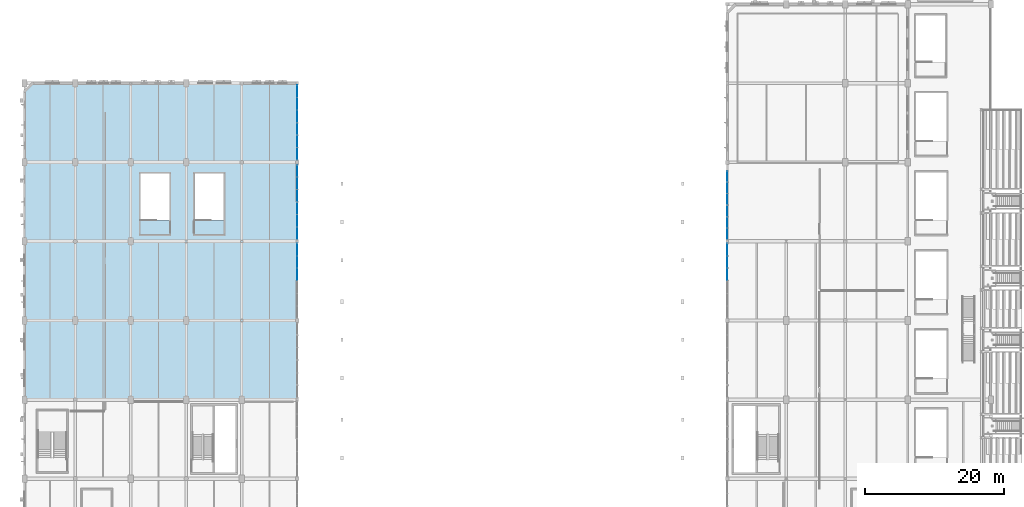
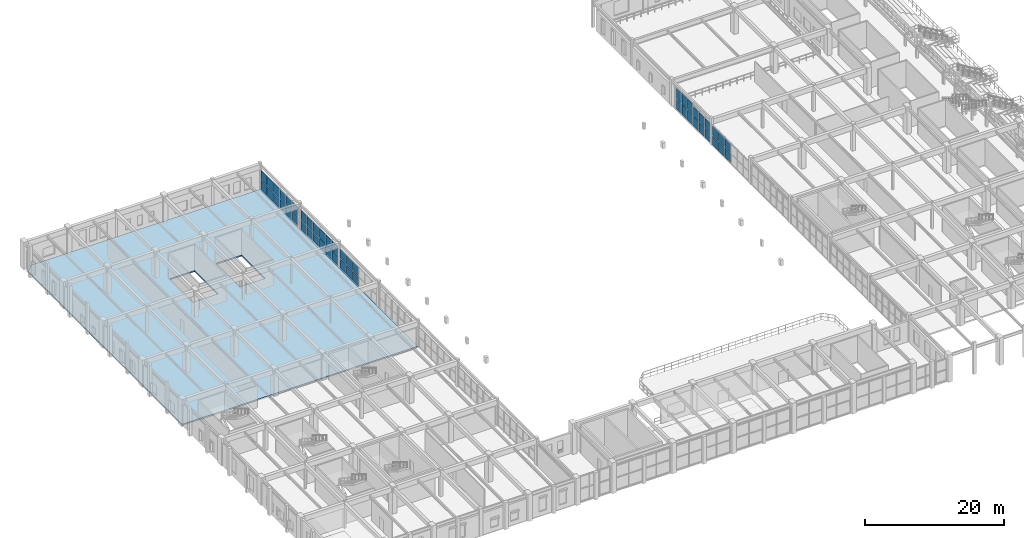
# One storey, part 72 of 106: 48 plates, 1 slab, 8 elements without a shape of their own.
"""IFC4 building model written with IfcOpenShell, lengths in metres."""

from ifc_helpers import new_model, si_unit, direction, frame, origin, origin_2d, place, context, subcontext, project, spatial, polyline, rectangle, outline, extrude, material, layer, layer_set, type_object, element, aggregate, save


model = new_model("IFC4")

# Units and contexts
model_context = context("Model", 3, precision=1e-05, world=origin(), true_north=direction((0.0, 1.0)))
body_context = subcontext(model_context, "Body", "Model", "MODEL_VIEW")
ifc_project = project(units=[si_unit("LENGTHUNIT", "METRE"), si_unit("AREAUNIT", "SQUARE_METRE"), si_unit("VOLUMEUNIT", "CUBIC_METRE"), si_unit("PLANEANGLEUNIT", "RADIAN"), si_unit("MASSUNIT", "GRAM", prefix="KILO"), si_unit("POWERUNIT", "WATT"), si_unit("THERMODYNAMICTEMPERATUREUNIT", "KELVIN")], contexts=[model_context])

# Site, building, storey
site_placement = place(None, origin())
site = spatial("IfcSite", under=ifc_project, at=site_placement, CompositionType="ELEMENT")
building_placement = place(site_placement, origin())
building = spatial("IfcBuilding", under=site, at=building_placement, Name="Kelmbourne Parkland Aquatics Centre", CompositionType="ELEMENT")
storey_placement = place(building_placement, frame((0.0, 0.0, 5.39990234375)))
storey = spatial("IfcBuildingStorey", under=building, at=storey_placement, Name="L01", CompositionType="ELEMENT", Elevation=5.39990234375)

# Curtain wall, plates
ifc_material_1 = material(Name="Thermally broken anodised aluminium framing", Category="aluminium")
ifc_layer_1 = layer(ifc_material_1, 0.179931640625)
ifc_layer_set_1 = layer_set([ifc_layer_1], Name="Thermally broken anodised aluminium framing")
curtain_wall_type_1 = type_object("IfcCurtainWallType", Name="CW-05", PredefinedType="NOTDEFINED", material=ifc_layer_set_1)
curtain_wall_1_placement = place(storey_placement, origin())
curtain_wall_1 = element("IfcCurtainWall", 1, at=curtain_wall_1_placement, inside=storey, type_object=curtain_wall_type_1, Name="Facade curtain wall CW-L01-197", PredefinedType="NOTDEFINED")
ifc_material_2 = material(Name="Double-glazed low-e laminated safety glass", Category="glass")
ifc_layer_2 = layer(ifc_material_2, 0.02392578125)
ifc_layer_set_2 = layer_set([ifc_layer_2], Name="Double-glazed low-e laminated safety glass")
plate_type_1 = type_object("IfcPlateType", Name="PL-CWP-1", PredefinedType="CURTAIN_PANEL", material=ifc_layer_set_2)
plate_1_placement = place(storey_placement, frame((102.0, 64.45703125, 1.90673828125), z_axis=(0.0, 0.0, 1.0), x_axis=(0.0, 1.0, 0.0)))
plate_1 = element("IfcPlate", 2, at=plate_1_placement, type_object=plate_type_1, Name="CW-L01-197 vision glazing 1-0", PredefinedType="CURTAIN_PANEL", context=body_context, shape_type="SweptSolid", body=[
    extrude(rectangle(XDim=1.706298828125, YDim=0.02392578125, at=origin_2d()), origin(), (0.0, 0.0, 1.0), 1.5615234375),
])
plate_2_placement = place(storey_placement, frame((102.0, 66.236572265625, 1.90673828125), z_axis=(0.0, 0.0, 1.0), x_axis=(0.0, 1.0, 0.0)))
plate_2 = element("IfcPlate", 3, at=plate_2_placement, type_object=plate_type_1, Name="CW-L01-197 vision glazing 1-1", PredefinedType="CURTAIN_PANEL", context=body_context, shape_type="SweptSolid", body=[
    extrude(rectangle(XDim=1.706298828125, YDim=0.02392578125, at=origin_2d()), origin(), (0.0, 0.0, 1.0), 1.5615234375),
])
plate_3_placement = place(storey_placement, frame((102.0, 68.015869140625, 1.90673828125), z_axis=(0.0, 0.0, 1.0), x_axis=(0.0, 1.0, 0.0)))
plate_3 = element("IfcPlate", 4, at=plate_3_placement, type_object=plate_type_1, Name="CW-L01-197 vision glazing 1-2", PredefinedType="CURTAIN_PANEL", context=body_context, shape_type="SweptSolid", body=[
    extrude(rectangle(XDim=1.706298828125, YDim=0.02392578125, at=origin_2d()), origin(), (0.0, 0.0, 1.0), 1.5615234375),
])

ifc_layer_3 = layer(ifc_material_1, 0.179931640625)
ifc_layer_set_3 = layer_set([ifc_layer_3], Name="Thermally broken anodised aluminium framing")
curtain_wall_type_2 = type_object("IfcCurtainWallType", Name="CW-06", PredefinedType="NOTDEFINED", material=ifc_layer_set_3)
curtain_wall_2_placement = place(storey_placement, origin())
curtain_wall_2 = element("IfcCurtainWall", 5, at=curtain_wall_2_placement, inside=storey, type_object=curtain_wall_type_2, Name="Facade curtain wall CW-L01-198", PredefinedType="NOTDEFINED")
plate_4_placement = place(storey_placement, frame((102.0, 70.312744140625, 0.1171875), z_axis=(0.0, 0.0, 1.0), x_axis=(0.0, 1.0, 0.0)))
plate_4 = element("IfcPlate", 6, at=plate_4_placement, type_object=plate_type_1, Name="CW-L01-198 vision glazing 0-0", PredefinedType="CURTAIN_PANEL", context=body_context, shape_type="SweptSolid", body=[
    extrude(rectangle(XDim=1.543212890625, YDim=0.02392578125, at=origin_2d()), origin(), (0.0, 0.0, 1.0), 1.651611328125),
])
plate_5_placement = place(storey_placement, frame((102.0, 71.93896484375, 0.1171875), z_axis=(0.0, 0.0, 1.0), x_axis=(0.0, 1.0, 0.0)))
plate_5 = element("IfcPlate", 7, at=plate_5_placement, type_object=plate_type_1, Name="CW-L01-198 vision glazing 0-1", PredefinedType="CURTAIN_PANEL", context=body_context, shape_type="SweptSolid", body=[
    extrude(rectangle(XDim=1.54345703125, YDim=0.02392578125, at=origin_2d()), origin(), (0.0, 0.0, 1.0), 1.651611328125),
])
plate_6_placement = place(storey_placement, frame((102.0, 73.565185546875, 0.1171875), z_axis=(0.0, 0.0, 1.0), x_axis=(0.0, 1.0, 0.0)))
plate_6 = element("IfcPlate", 8, at=plate_6_placement, type_object=plate_type_1, Name="CW-L01-198 vision glazing 0-2", PredefinedType="CURTAIN_PANEL", context=body_context, shape_type="SweptSolid", body=[
    extrude(rectangle(XDim=1.543212890625, YDim=0.02392578125, at=origin_2d()), origin(), (0.0, 0.0, 1.0), 1.651611328125),
])

ifc_layer_4 = layer(ifc_material_1, 0.179931640625)
ifc_layer_set_4 = layer_set([ifc_layer_4], Name="Thermally broken anodised aluminium framing")
curtain_wall_type_3 = type_object("IfcCurtainWallType", Name="CW-20", PredefinedType="NOTDEFINED", material=ifc_layer_set_4)
curtain_wall_3_placement = place(storey_placement, origin())
curtain_wall_3 = element("IfcCurtainWall", 9, at=curtain_wall_3_placement, inside=storey, type_object=curtain_wall_type_3, Name="Facade curtain wall CW-L01-236", PredefinedType="NOTDEFINED")
plate_7_placement = place(storey_placement, frame((40.0, 64.453857421875, 1.90673828125), z_axis=(0.0, 0.0, 1.0), x_axis=(0.0, 1.0, 0.0)))
plate_7 = element("IfcPlate", 10, at=plate_7_placement, type_object=plate_type_1, Name="CW-L01-236 vision glazing 1-0", PredefinedType="CURTAIN_PANEL", context=body_context, shape_type="SweptSolid", body=[
    extrude(rectangle(XDim=1.7197265625, YDim=0.02392578125, at=origin_2d()), origin(), (0.0, 0.0, 1.0), 1.5615234375),
])
plate_8_placement = place(storey_placement, frame((40.0, 66.236572265625, 1.90673828125), z_axis=(0.0, 0.0, 1.0), x_axis=(0.0, 1.0, 0.0)))
plate_8 = element("IfcPlate", 11, at=plate_8_placement, type_object=plate_type_1, Name="CW-L01-236 vision glazing 1-1", PredefinedType="CURTAIN_PANEL", context=body_context, shape_type="SweptSolid", body=[
    extrude(rectangle(XDim=1.719482421875, YDim=0.02392578125, at=origin_2d()), origin(), (0.0, 0.0, 1.0), 1.5615234375),
])
plate_9_placement = place(storey_placement, frame((40.0, 68.01904296875, 1.90673828125), z_axis=(0.0, 0.0, 1.0), x_axis=(0.0, 1.0, 0.0)))
plate_9 = element("IfcPlate", 12, at=plate_9_placement, type_object=plate_type_1, Name="CW-L01-236 vision glazing 1-2", PredefinedType="CURTAIN_PANEL", context=body_context, shape_type="SweptSolid", body=[
    extrude(rectangle(XDim=1.7197265625, YDim=0.02392578125, at=origin_2d()), origin(), (0.0, 0.0, 1.0), 1.5615234375),
])

ifc_layer_5 = layer(ifc_material_1, 0.179931640625)
ifc_layer_set_5 = layer_set([ifc_layer_5], Name="Thermally broken anodised aluminium framing")
curtain_wall_type_4 = type_object("IfcCurtainWallType", Name="CW-21", PredefinedType="NOTDEFINED", material=ifc_layer_set_5)
curtain_wall_4_placement = place(storey_placement, origin())
curtain_wall_4 = element("IfcCurtainWall", 13, at=curtain_wall_4_placement, inside=storey, type_object=curtain_wall_type_4, Name="Facade curtain wall CW-L01-237", PredefinedType="NOTDEFINED")
plate_10_placement = place(storey_placement, frame((40.0, 70.38427734375, 0.1171875), z_axis=(0.0, 0.0, 1.0), x_axis=(0.0, 1.0, 0.0)))
plate_10 = element("IfcPlate", 14, at=plate_10_placement, type_object=plate_type_1, Name="CW-L01-237 vision glazing 0-0", PredefinedType="CURTAIN_PANEL", context=body_context, shape_type="SweptSolid", body=[
    extrude(rectangle(XDim=1.706298828125, YDim=0.02392578125, at=origin_2d()), origin(), (0.0, 0.0, 1.0), 1.651611328125),
])
plate_11_placement = place(storey_placement, frame((40.0, 72.16357421875, 0.1171875), z_axis=(0.0, 0.0, 1.0), x_axis=(0.0, 1.0, 0.0)))
plate_11 = element("IfcPlate", 15, at=plate_11_placement, type_object=plate_type_1, Name="CW-L01-237 vision glazing 0-1", PredefinedType="CURTAIN_PANEL", context=body_context, shape_type="SweptSolid", body=[
    extrude(rectangle(XDim=1.706298828125, YDim=0.02392578125, at=origin_2d()), origin(), (0.0, 0.0, 1.0), 1.651611328125),
])
plate_12_placement = place(storey_placement, frame((40.0, 73.94287109375, 0.1171875), z_axis=(0.0, 0.0, 1.0), x_axis=(0.0, 1.0, 0.0)))
plate_12 = element("IfcPlate", 16, at=plate_12_placement, type_object=plate_type_1, Name="CW-L01-237 vision glazing 0-2", PredefinedType="CURTAIN_PANEL", context=body_context, shape_type="SweptSolid", body=[
    extrude(rectangle(XDim=1.706298828125, YDim=0.02392578125, at=origin_2d()), origin(), (0.0, 0.0, 1.0), 1.651611328125),
])

ifc_layer_6 = layer(ifc_material_1, 0.179931640625)
ifc_layer_set_6 = layer_set([ifc_layer_6], Name="Thermally broken anodised aluminium framing")
curtain_wall_type_5 = type_object("IfcCurtainWallType", Name="CW-23", PredefinedType="NOTDEFINED", material=ifc_layer_set_6)
curtain_wall_5_placement = place(storey_placement, origin())
curtain_wall_5 = element("IfcCurtainWall", 17, at=curtain_wall_5_placement, inside=storey, type_object=curtain_wall_type_5, Name="Facade curtain wall CW-L01-239", PredefinedType="NOTDEFINED")
plate_13_placement = place(storey_placement, frame((40.0, 81.8408203125, 1.90673828125), z_axis=(0.0, 0.0, 1.0), x_axis=(0.0, 1.0, 0.0)))
plate_13 = element("IfcPlate", 18, at=plate_13_placement, type_object=plate_type_1, Name="CW-L01-239 vision glazing 1-0", PredefinedType="CURTAIN_PANEL", context=body_context, shape_type="SweptSolid", body=[
    extrude(rectangle(XDim=1.6796875, YDim=0.02392578125, at=origin_2d()), origin(), (0.0, 0.0, 1.0), 1.5615234375),
])
plate_14_placement = place(storey_placement, frame((40.0, 83.613525390625, 1.90673828125), z_axis=(0.0, 0.0, 1.0), x_axis=(0.0, 1.0, 0.0)))
plate_14 = element("IfcPlate", 19, at=plate_14_placement, type_object=plate_type_1, Name="CW-L01-239 vision glazing 1-1", PredefinedType="CURTAIN_PANEL", context=body_context, shape_type="SweptSolid", body=[
    extrude(rectangle(XDim=1.6796875, YDim=0.02392578125, at=origin_2d()), origin(), (0.0, 0.0, 1.0), 1.5615234375),
])
plate_15_placement = place(storey_placement, frame((40.0, 85.38623046875, 1.90673828125), z_axis=(0.0, 0.0, 1.0), x_axis=(0.0, 1.0, 0.0)))
plate_15 = element("IfcPlate", 20, at=plate_15_placement, type_object=plate_type_1, Name="CW-L01-239 vision glazing 1-2", PredefinedType="CURTAIN_PANEL", context=body_context, shape_type="SweptSolid", body=[
    extrude(rectangle(XDim=1.6796875, YDim=0.02392578125, at=origin_2d()), origin(), (0.0, 0.0, 1.0), 1.5615234375),
])

ifc_layer_7 = layer(ifc_material_1, 0.179931640625)
ifc_layer_set_7 = layer_set([ifc_layer_7], Name="Thermally broken anodised aluminium framing")
curtain_wall_type_6 = type_object("IfcCurtainWallType", Name="CW-24", PredefinedType="NOTDEFINED", material=ifc_layer_set_7)
curtain_wall_6_placement = place(storey_placement, origin())
curtain_wall_6 = element("IfcCurtainWall", 21, at=curtain_wall_6_placement, inside=storey, type_object=curtain_wall_type_6, Name="Facade curtain wall CW-L01-240", PredefinedType="NOTDEFINED")
plate_16_placement = place(storey_placement, frame((40.0, 87.25048828125, 0.1171875), z_axis=(0.0, 0.0, 1.0), x_axis=(0.0, 1.0, 0.0)))
plate_16 = element("IfcPlate", 22, at=plate_16_placement, type_object=plate_type_1, Name="CW-L01-240 vision glazing 0-0", PredefinedType="CURTAIN_PANEL", context=body_context, shape_type="SweptSolid", body=[
    extrude(rectangle(XDim=1.73291015625, YDim=0.02392578125, at=origin_2d()), origin(), (0.0, 0.0, 1.0), 1.651611328125),
])
plate_17_placement = place(storey_placement, frame((40.0, 89.03662109375, 0.1171875), z_axis=(0.0, 0.0, 1.0), x_axis=(0.0, 1.0, 0.0)))
plate_17 = element("IfcPlate", 23, at=plate_17_placement, type_object=plate_type_1, Name="CW-L01-240 vision glazing 0-1", PredefinedType="CURTAIN_PANEL", context=body_context, shape_type="SweptSolid", body=[
    extrude(rectangle(XDim=1.73291015625, YDim=0.02392578125, at=origin_2d()), origin(), (0.0, 0.0, 1.0), 1.651611328125),
])
plate_18_placement = place(storey_placement, frame((40.0, 90.822509765625, 0.1171875), z_axis=(0.0, 0.0, 1.0), x_axis=(0.0, 1.0, 0.0)))
plate_18 = element("IfcPlate", 24, at=plate_18_placement, type_object=plate_type_1, Name="CW-L01-240 vision glazing 0-2", PredefinedType="CURTAIN_PANEL", context=body_context, shape_type="SweptSolid", body=[
    extrude(rectangle(XDim=1.73291015625, YDim=0.02392578125, at=origin_2d()), origin(), (0.0, 0.0, 1.0), 1.651611328125),
])

# Plate
ifc_layer_8 = layer(ifc_material_2, 0.035888671875)
ifc_layer_set_8 = layer_set([ifc_layer_8], Name="Double-glazed low-e laminated safety glass")
plate_type_2 = type_object("IfcPlateType", Name="PL-CWP-2", PredefinedType="CURTAIN_PANEL", material=ifc_layer_set_8)
plate_19_placement = place(storey_placement, frame((102.0, 70.312744140625, 1.87646484375), z_axis=(0.0, 0.0, 1.0), x_axis=(0.0, 1.0, 0.0)))
plate_19 = element("IfcPlate", 25, at=plate_19_placement, type_object=plate_type_2, Name="CW-L01-198 vision glazing 1-0", PredefinedType="CURTAIN_PANEL", context=body_context, shape_type="SweptSolid", body=[
    extrude(rectangle(XDim=1.543212890625, YDim=0.035888671875, at=origin_2d()), origin(), (0.0, 0.0, 1.0), 1.651611328125),
])

plate_20_placement = place(storey_placement, frame((102.0, 71.93896484375, 1.87646484375), z_axis=(0.0, 0.0, 1.0), x_axis=(0.0, 1.0, 0.0)))
plate_20 = element("IfcPlate", 26, at=plate_20_placement, type_object=plate_type_2, Name="CW-L01-198 vision glazing 1-1", PredefinedType="CURTAIN_PANEL", context=body_context, shape_type="SweptSolid", body=[
    extrude(rectangle(XDim=1.54345703125, YDim=0.035888671875, at=origin_2d()), origin(), (0.0, 0.0, 1.0), 1.651611328125),
])

plate_21_placement = place(storey_placement, frame((102.0, 73.565185546875, 1.87646484375), z_axis=(0.0, 0.0, 1.0), x_axis=(0.0, 1.0, 0.0)))
plate_21 = element("IfcPlate", 27, at=plate_21_placement, type_object=plate_type_2, Name="CW-L01-198 vision glazing 1-2", PredefinedType="CURTAIN_PANEL", context=body_context, shape_type="SweptSolid", body=[
    extrude(rectangle(XDim=1.543212890625, YDim=0.035888671875, at=origin_2d()), origin(), (0.0, 0.0, 1.0), 1.651611328125),
])

aggregate(curtain_wall_2, [plate_4, plate_5, plate_6, plate_19, plate_20, plate_21])

# Curtain wall, plates
ifc_layer_9 = layer(ifc_material_1, 0.179931640625)
ifc_layer_set_9 = layer_set([ifc_layer_9], Name="Thermally broken anodised aluminium framing")
curtain_wall_type_7 = type_object("IfcCurtainWallType", Name="CW-07", PredefinedType="NOTDEFINED", material=ifc_layer_set_9)
curtain_wall_7_placement = place(storey_placement, origin())
curtain_wall_7 = element("IfcCurtainWall", 28, at=curtain_wall_7_placement, inside=storey, type_object=curtain_wall_type_7, Name="Facade curtain wall CW-L01-199", PredefinedType="NOTDEFINED")
plate_22_placement = place(storey_placement, frame((102.0, 75.2900390625, 0.14697265625), z_axis=(0.0, 0.0, 1.0), x_axis=(0.0, 1.0, 0.0)))
plate_22 = element("IfcPlate", 29, at=plate_22_placement, type_object=plate_type_2, Name="CW-L01-199 vision glazing 0-0", PredefinedType="CURTAIN_PANEL", context=body_context, shape_type="SweptSolid", body=[
    extrude(rectangle(XDim=1.530029296875, YDim=0.035888671875, at=origin_2d()), origin(), (0.0, 0.0, 1.0), 1.7900390625),
])
plate_23_placement = place(storey_placement, frame((102.0, 76.9130859375, 0.14697265625), z_axis=(0.0, 0.0, 1.0), x_axis=(0.0, 1.0, 0.0)))
plate_23 = element("IfcPlate", 30, at=plate_23_placement, type_object=plate_type_2, Name="CW-L01-199 vision glazing 0-1", PredefinedType="CURTAIN_PANEL", context=body_context, shape_type="SweptSolid", body=[
    extrude(rectangle(XDim=1.530029296875, YDim=0.035888671875, at=origin_2d()), origin(), (0.0, 0.0, 1.0), 1.7900390625),
])
plate_24_placement = place(storey_placement, frame((102.0, 78.535888671875, 0.14697265625), z_axis=(0.0, 0.0, 1.0), x_axis=(0.0, 1.0, 0.0)))
plate_24 = element("IfcPlate", 31, at=plate_24_placement, type_object=plate_type_2, Name="CW-L01-199 vision glazing 0-2", PredefinedType="CURTAIN_PANEL", context=body_context, shape_type="SweptSolid", body=[
    extrude(rectangle(XDim=1.530029296875, YDim=0.035888671875, at=origin_2d()), origin(), (0.0, 0.0, 1.0), 1.7900390625),
])

# Plate
plate_25_placement = place(storey_placement, frame((40.0, 70.38427734375, 1.87646484375), z_axis=(0.0, 0.0, 1.0), x_axis=(0.0, 1.0, 0.0)))
plate_25 = element("IfcPlate", 32, at=plate_25_placement, type_object=plate_type_2, Name="CW-L01-237 vision glazing 1-0", PredefinedType="CURTAIN_PANEL", context=body_context, shape_type="SweptSolid", body=[
    extrude(rectangle(XDim=1.706298828125, YDim=0.035888671875, at=origin_2d()), origin(), (0.0, 0.0, 1.0), 1.651611328125),
])

plate_26_placement = place(storey_placement, frame((40.0, 72.16357421875, 1.87646484375), z_axis=(0.0, 0.0, 1.0), x_axis=(0.0, 1.0, 0.0)))
plate_26 = element("IfcPlate", 33, at=plate_26_placement, type_object=plate_type_2, Name="CW-L01-237 vision glazing 1-1", PredefinedType="CURTAIN_PANEL", context=body_context, shape_type="SweptSolid", body=[
    extrude(rectangle(XDim=1.706298828125, YDim=0.035888671875, at=origin_2d()), origin(), (0.0, 0.0, 1.0), 1.651611328125),
])

plate_27_placement = place(storey_placement, frame((40.0, 73.94287109375, 1.87646484375), z_axis=(0.0, 0.0, 1.0), x_axis=(0.0, 1.0, 0.0)))
plate_27 = element("IfcPlate", 34, at=plate_27_placement, type_object=plate_type_2, Name="CW-L01-237 vision glazing 1-2", PredefinedType="CURTAIN_PANEL", context=body_context, shape_type="SweptSolid", body=[
    extrude(rectangle(XDim=1.706298828125, YDim=0.035888671875, at=origin_2d()), origin(), (0.0, 0.0, 1.0), 1.651611328125),
])

aggregate(curtain_wall_4, [plate_10, plate_11, plate_12, plate_25, plate_26, plate_27])

# Curtain wall, plates
ifc_layer_10 = layer(ifc_material_1, 0.179931640625)
ifc_layer_set_10 = layer_set([ifc_layer_10], Name="Thermally broken anodised aluminium framing")
curtain_wall_type_8 = type_object("IfcCurtainWallType", Name="CW-22", PredefinedType="NOTDEFINED", material=ifc_layer_set_10)
curtain_wall_8_placement = place(storey_placement, origin())
curtain_wall_8 = element("IfcCurtainWall", 35, at=curtain_wall_8_placement, inside=storey, type_object=curtain_wall_type_8, Name="Facade curtain wall CW-L01-238", PredefinedType="NOTDEFINED")
plate_28_placement = place(storey_placement, frame((40.0, 75.810546875, 0.14697265625), z_axis=(0.0, 0.0, 1.0), x_axis=(0.0, 1.0, 0.0)))
plate_28 = element("IfcPlate", 36, at=plate_28_placement, type_object=plate_type_2, Name="CW-L01-238 vision glazing 0-0", PredefinedType="CURTAIN_PANEL", context=body_context, shape_type="SweptSolid", body=[
    extrude(rectangle(XDim=1.693115234375, YDim=0.035888671875, at=origin_2d()), origin(), (0.0, 0.0, 1.0), 1.6064453125),
])
plate_29_placement = place(storey_placement, frame((40.0, 77.58642578125, 0.14697265625), z_axis=(0.0, 0.0, 1.0), x_axis=(0.0, 1.0, 0.0)))
plate_29 = element("IfcPlate", 37, at=plate_29_placement, type_object=plate_type_2, Name="CW-L01-238 vision glazing 0-1", PredefinedType="CURTAIN_PANEL", context=body_context, shape_type="SweptSolid", body=[
    extrude(rectangle(XDim=1.693115234375, YDim=0.035888671875, at=origin_2d()), origin(), (0.0, 0.0, 1.0), 1.6064453125),
])
plate_30_placement = place(storey_placement, frame((40.0, 79.362548828125, 0.14697265625), z_axis=(0.0, 0.0, 1.0), x_axis=(0.0, 1.0, 0.0)))
plate_30 = element("IfcPlate", 38, at=plate_30_placement, type_object=plate_type_2, Name="CW-L01-238 vision glazing 0-2", PredefinedType="CURTAIN_PANEL", context=body_context, shape_type="SweptSolid", body=[
    extrude(rectangle(XDim=1.693115234375, YDim=0.035888671875, at=origin_2d()), origin(), (0.0, 0.0, 1.0), 1.6064453125),
])

# Plate
plate_31_placement = place(storey_placement, frame((40.0, 87.25048828125, 1.87646484375), z_axis=(0.0, 0.0, 1.0), x_axis=(0.0, 1.0, 0.0)))
plate_31 = element("IfcPlate", 39, at=plate_31_placement, type_object=plate_type_2, Name="CW-L01-240 vision glazing 1-0", PredefinedType="CURTAIN_PANEL", context=body_context, shape_type="SweptSolid", body=[
    extrude(rectangle(XDim=1.73291015625, YDim=0.035888671875, at=origin_2d()), origin(), (0.0, 0.0, 1.0), 1.651611328125),
])

plate_32_placement = place(storey_placement, frame((40.0, 89.03662109375, 1.87646484375), z_axis=(0.0, 0.0, 1.0), x_axis=(0.0, 1.0, 0.0)))
plate_32 = element("IfcPlate", 40, at=plate_32_placement, type_object=plate_type_2, Name="CW-L01-240 vision glazing 1-1", PredefinedType="CURTAIN_PANEL", context=body_context, shape_type="SweptSolid", body=[
    extrude(rectangle(XDim=1.73291015625, YDim=0.035888671875, at=origin_2d()), origin(), (0.0, 0.0, 1.0), 1.651611328125),
])

plate_33_placement = place(storey_placement, frame((40.0, 90.822509765625, 1.87646484375), z_axis=(0.0, 0.0, 1.0), x_axis=(0.0, 1.0, 0.0)))
plate_33 = element("IfcPlate", 41, at=plate_33_placement, type_object=plate_type_2, Name="CW-L01-240 vision glazing 1-2", PredefinedType="CURTAIN_PANEL", context=body_context, shape_type="SweptSolid", body=[
    extrude(rectangle(XDim=1.73291015625, YDim=0.035888671875, at=origin_2d()), origin(), (0.0, 0.0, 1.0), 1.651611328125),
])

aggregate(curtain_wall_6, [plate_16, plate_17, plate_18, plate_31, plate_32, plate_33])

ifc_layer_11 = layer(ifc_material_2, 0.048095703125)
ifc_layer_set_11 = layer_set([ifc_layer_11], Name="Double-glazed low-e laminated safety glass")
plate_type_3 = type_object("IfcPlateType", Name="PL-CWP-3", PredefinedType="CURTAIN_PANEL", material=ifc_layer_set_11)
plate_34_placement = place(storey_placement, frame((102.0, 64.45703125, 0.17724609375), z_axis=(0.0, 0.0, 1.0), x_axis=(0.0, 1.0, 0.0)))
plate_34 = element("IfcPlate", 42, at=plate_34_placement, type_object=plate_type_3, Name="CW-L01-197 vision glazing 0-0", PredefinedType="CURTAIN_PANEL", context=body_context, shape_type="SweptSolid", body=[
    extrude(rectangle(XDim=1.706298828125, YDim=0.048095703125, at=origin_2d()), origin(), (0.0, 0.0, 1.0), 1.5615234375),
])

plate_35_placement = place(storey_placement, frame((102.0, 66.236572265625, 0.17724609375), z_axis=(0.0, 0.0, 1.0), x_axis=(0.0, 1.0, 0.0)))
plate_35 = element("IfcPlate", 43, at=plate_35_placement, type_object=plate_type_3, Name="CW-L01-197 vision glazing 0-1", PredefinedType="CURTAIN_PANEL", context=body_context, shape_type="SweptSolid", body=[
    extrude(rectangle(XDim=1.706298828125, YDim=0.048095703125, at=origin_2d()), origin(), (0.0, 0.0, 1.0), 1.5615234375),
])

plate_36_placement = place(storey_placement, frame((102.0, 68.015869140625, 0.17724609375), z_axis=(0.0, 0.0, 1.0), x_axis=(0.0, 1.0, 0.0)))
plate_36 = element("IfcPlate", 44, at=plate_36_placement, type_object=plate_type_3, Name="CW-L01-197 vision glazing 0-2", PredefinedType="CURTAIN_PANEL", context=body_context, shape_type="SweptSolid", body=[
    extrude(rectangle(XDim=1.706298828125, YDim=0.048095703125, at=origin_2d()), origin(), (0.0, 0.0, 1.0), 1.5615234375),
])

aggregate(curtain_wall_1, [plate_34, plate_35, plate_36, plate_1, plate_2, plate_3])

plate_37_placement = place(storey_placement, frame((102.0, 75.2900390625, 2.0751953125), z_axis=(0.0, 0.0, 1.0), x_axis=(0.0, 1.0, 0.0)))
plate_37 = element("IfcPlate", 45, at=plate_37_placement, type_object=plate_type_3, Name="CW-L01-199 vision glazing 1-0", PredefinedType="CURTAIN_PANEL", context=body_context, shape_type="SweptSolid", body=[
    extrude(rectangle(XDim=1.530029296875, YDim=0.048095703125, at=origin_2d()), origin(), (0.0, 0.0, 1.0), 1.7900390625),
])

plate_38_placement = place(storey_placement, frame((102.0, 76.9130859375, 2.0751953125), z_axis=(0.0, 0.0, 1.0), x_axis=(0.0, 1.0, 0.0)))
plate_38 = element("IfcPlate", 46, at=plate_38_placement, type_object=plate_type_3, Name="CW-L01-199 vision glazing 1-1", PredefinedType="CURTAIN_PANEL", context=body_context, shape_type="SweptSolid", body=[
    extrude(rectangle(XDim=1.530029296875, YDim=0.048095703125, at=origin_2d()), origin(), (0.0, 0.0, 1.0), 1.7900390625),
])

plate_39_placement = place(storey_placement, frame((102.0, 78.535888671875, 2.0751953125), z_axis=(0.0, 0.0, 1.0), x_axis=(0.0, 1.0, 0.0)))
plate_39 = element("IfcPlate", 47, at=plate_39_placement, type_object=plate_type_3, Name="CW-L01-199 vision glazing 1-2", PredefinedType="CURTAIN_PANEL", context=body_context, shape_type="SweptSolid", body=[
    extrude(rectangle(XDim=1.530029296875, YDim=0.048095703125, at=origin_2d()), origin(), (0.0, 0.0, 1.0), 1.7900390625),
])

aggregate(curtain_wall_7, [plate_22, plate_23, plate_24, plate_37, plate_38, plate_39])

plate_40_placement = place(storey_placement, frame((40.0, 64.453857421875, 0.17724609375), z_axis=(0.0, 0.0, 1.0), x_axis=(0.0, 1.0, 0.0)))
plate_40 = element("IfcPlate", 48, at=plate_40_placement, type_object=plate_type_3, Name="CW-L01-236 vision glazing 0-0", PredefinedType="CURTAIN_PANEL", context=body_context, shape_type="SweptSolid", body=[
    extrude(rectangle(XDim=1.7197265625, YDim=0.048095703125, at=origin_2d()), origin(), (0.0, 0.0, 1.0), 1.5615234375),
])

plate_41_placement = place(storey_placement, frame((40.0, 66.236572265625, 0.17724609375), z_axis=(0.0, 0.0, 1.0), x_axis=(0.0, 1.0, 0.0)))
plate_41 = element("IfcPlate", 49, at=plate_41_placement, type_object=plate_type_3, Name="CW-L01-236 vision glazing 0-1", PredefinedType="CURTAIN_PANEL", context=body_context, shape_type="SweptSolid", body=[
    extrude(rectangle(XDim=1.719482421875, YDim=0.048095703125, at=origin_2d()), origin(), (0.0, 0.0, 1.0), 1.5615234375),
])

plate_42_placement = place(storey_placement, frame((40.0, 68.01904296875, 0.17724609375), z_axis=(0.0, 0.0, 1.0), x_axis=(0.0, 1.0, 0.0)))
plate_42 = element("IfcPlate", 50, at=plate_42_placement, type_object=plate_type_3, Name="CW-L01-236 vision glazing 0-2", PredefinedType="CURTAIN_PANEL", context=body_context, shape_type="SweptSolid", body=[
    extrude(rectangle(XDim=1.7197265625, YDim=0.048095703125, at=origin_2d()), origin(), (0.0, 0.0, 1.0), 1.5615234375),
])

aggregate(curtain_wall_3, [plate_40, plate_41, plate_42, plate_7, plate_8, plate_9])

plate_43_placement = place(storey_placement, frame((40.0, 75.810546875, 1.8916015625), z_axis=(0.0, 0.0, 1.0), x_axis=(0.0, 1.0, 0.0)))
plate_43 = element("IfcPlate", 51, at=plate_43_placement, type_object=plate_type_3, Name="CW-L01-238 vision glazing 1-0", PredefinedType="CURTAIN_PANEL", context=body_context, shape_type="SweptSolid", body=[
    extrude(rectangle(XDim=1.693115234375, YDim=0.048095703125, at=origin_2d()), origin(), (0.0, 0.0, 1.0), 1.6064453125),
])

plate_44_placement = place(storey_placement, frame((40.0, 77.58642578125, 1.8916015625), z_axis=(0.0, 0.0, 1.0), x_axis=(0.0, 1.0, 0.0)))
plate_44 = element("IfcPlate", 52, at=plate_44_placement, type_object=plate_type_3, Name="CW-L01-238 vision glazing 1-1", PredefinedType="CURTAIN_PANEL", context=body_context, shape_type="SweptSolid", body=[
    extrude(rectangle(XDim=1.693115234375, YDim=0.048095703125, at=origin_2d()), origin(), (0.0, 0.0, 1.0), 1.6064453125),
])

plate_45_placement = place(storey_placement, frame((40.0, 79.362548828125, 1.8916015625), z_axis=(0.0, 0.0, 1.0), x_axis=(0.0, 1.0, 0.0)))
plate_45 = element("IfcPlate", 53, at=plate_45_placement, type_object=plate_type_3, Name="CW-L01-238 vision glazing 1-2", PredefinedType="CURTAIN_PANEL", context=body_context, shape_type="SweptSolid", body=[
    extrude(rectangle(XDim=1.693115234375, YDim=0.048095703125, at=origin_2d()), origin(), (0.0, 0.0, 1.0), 1.6064453125),
])

aggregate(curtain_wall_8, [plate_28, plate_29, plate_30, plate_43, plate_44, plate_45])

plate_46_placement = place(storey_placement, frame((40.0, 81.8408203125, 0.17724609375), z_axis=(0.0, 0.0, 1.0), x_axis=(0.0, 1.0, 0.0)))
plate_46 = element("IfcPlate", 54, at=plate_46_placement, type_object=plate_type_3, Name="CW-L01-239 vision glazing 0-0", PredefinedType="CURTAIN_PANEL", context=body_context, shape_type="SweptSolid", body=[
    extrude(rectangle(XDim=1.6796875, YDim=0.048095703125, at=origin_2d()), origin(), (0.0, 0.0, 1.0), 1.5615234375),
])

plate_47_placement = place(storey_placement, frame((40.0, 83.613525390625, 0.17724609375), z_axis=(0.0, 0.0, 1.0), x_axis=(0.0, 1.0, 0.0)))
plate_47 = element("IfcPlate", 55, at=plate_47_placement, type_object=plate_type_3, Name="CW-L01-239 vision glazing 0-1", PredefinedType="CURTAIN_PANEL", context=body_context, shape_type="SweptSolid", body=[
    extrude(rectangle(XDim=1.6796875, YDim=0.048095703125, at=origin_2d()), origin(), (0.0, 0.0, 1.0), 1.5615234375),
])

plate_48_placement = place(storey_placement, frame((40.0, 85.38623046875, 0.17724609375), z_axis=(0.0, 0.0, 1.0), x_axis=(0.0, 1.0, 0.0)))
plate_48 = element("IfcPlate", 56, at=plate_48_placement, type_object=plate_type_3, Name="CW-L01-239 vision glazing 0-2", PredefinedType="CURTAIN_PANEL", context=body_context, shape_type="SweptSolid", body=[
    extrude(rectangle(XDim=1.6796875, YDim=0.048095703125, at=origin_2d()), origin(), (0.0, 0.0, 1.0), 1.5615234375),
])

aggregate(curtain_wall_5, [plate_46, plate_47, plate_48, plate_13, plate_14, plate_15])

# Slab
ifc_material_3 = material(Name="Concrete C40/50", Category="concrete")
ifc_layer_12 = layer(ifc_material_3, 0.239990234375)
ifc_layer_set_12 = layer_set([ifc_layer_12], Name="Concrete C40/50")
slab_type = type_object("IfcSlabType", Name="SL-F2", PredefinedType="FLOOR", material=ifc_layer_set_12)
slab_placement = place(storey_placement, frame((0.0, 0.0, -0.239990234375)))
element("IfcSlab", 57, at=slab_placement, inside=storey, type_object=slab_type, Name="Suspended floor slab SLAB-L01-V5N", PredefinedType="FLOOR", context=body_context, shape_type="SweptSolid", body=[
    extrude(outline(polyline([(0.699951171875, 46.39990234375), (39.949951171875, 46.39990234375), (39.949951171875, 92.0), (1.85009765625, 92.0), (0.699951171875, 90.85009765625), (0.699951171875, 46.39990234375)]), holes=[polyline([(17.39990234375, 72.25), (17.39990234375, 79.0), (21.60009765625, 79.0), (21.60009765625, 72.25), (17.39990234375, 72.25)]), polyline([(25.199951171875, 72.25), (25.199951171875, 79.0), (29.39990234375, 79.0), (29.39990234375, 72.25), (25.199951171875, 72.25)])]), origin(), (0.0, 0.0, 1.0), 0.239990234375),
])

save(model, "model.ifc")
